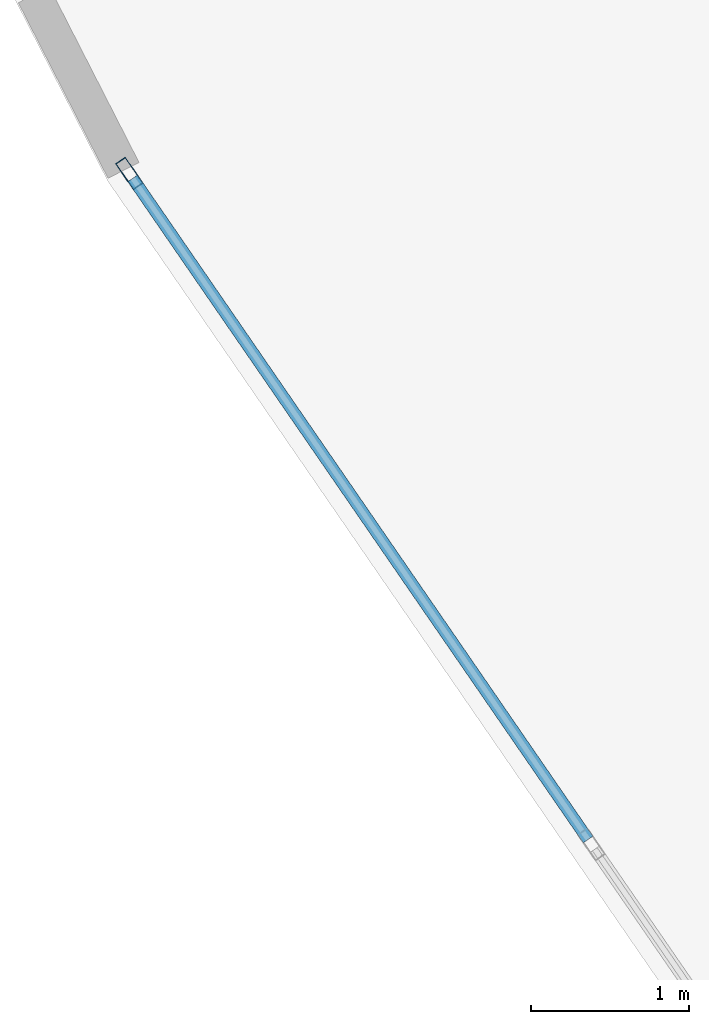
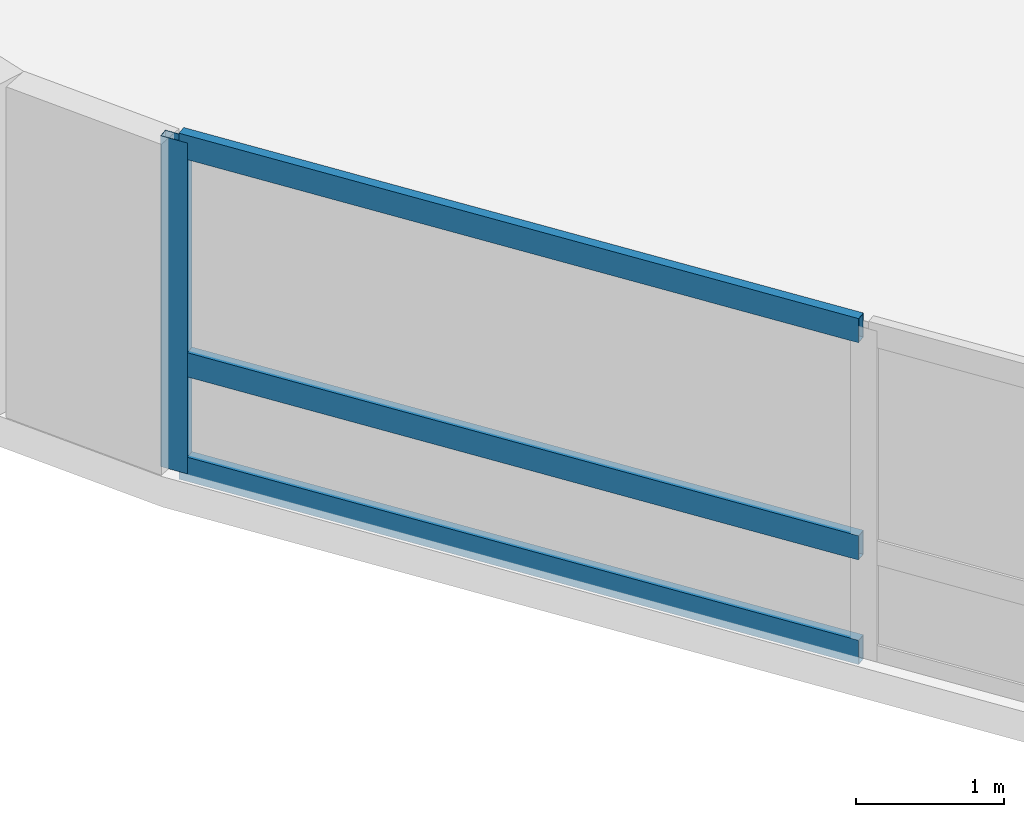
# One storey, part 6 of 22: 4 members, 1 element without a shape of its own.
"""IFC4 building model written with IfcOpenShell, lengths in metres."""

from ifc_helpers import new_model, si_unit, direction, frame, origin, origin_2d, place, context, subcontext, project, spatial, hollow_rectangle, extrude, material, layer, layer_set, material_profile, profile_set, type_object, element, aggregate, save


model = new_model("IFC4")

# Units and contexts
model_context = context("Model", 3, precision=1e-05, world=origin(), true_north=direction((0.0, 1.0)))
body_context = subcontext(model_context, "Body", "Model", "MODEL_VIEW")
ifc_project = project(units=[si_unit("LENGTHUNIT", "METRE"), si_unit("AREAUNIT", "SQUARE_METRE"), si_unit("VOLUMEUNIT", "CUBIC_METRE"), si_unit("PLANEANGLEUNIT", "RADIAN"), si_unit("MASSUNIT", "GRAM", prefix="KILO")], contexts=[model_context])

# Site, building, storey
site_placement = place(None, origin())
site = spatial("IfcSite", under=ifc_project, at=site_placement, CompositionType="ELEMENT")
building_placement = place(site_placement, origin())
building = spatial("IfcBuilding", under=site, at=building_placement, Name="Varnelok Gate Tower", CompositionType="ELEMENT")
storey_placement = place(building_placement, frame((0.0, 0.0, 284.10009765625)))
storey = spatial("IfcBuildingStorey", under=building, at=storey_placement, Name="L73", CompositionType="ELEMENT", Elevation=284.10009765625)

# Curtain wall, members
ifc_material = material(Name="Anodized Aluminum Alloy 6063-T6", Category="aluminium")
ifc_layer = layer(ifc_material, 0.179931640625)
ifc_layer_set = layer_set([ifc_layer], Name="Anodized Aluminum Alloy 6063-T6")
curtain_wall_type = type_object("IfcCurtainWallType", Name="CW6-CROWN-LOOKOUT", PredefinedType="USERDEFINED", material=ifc_layer_set)
curtain_wall_placement = place(storey_placement, origin())
curtain_wall = element("IfcCurtainWall", 1, at=curtain_wall_placement, inside=storey, type_object=curtain_wall_type, Name="L73 West End Vision Curtain Wall", ObjectType="STRUCTURAL GLAZING", PredefinedType="USERDEFINED")
ifc_material_profile_1 = material_profile(ifc_material, hollow_rectangle(XDim=0.074951171875, YDim=0.199951171875, WallThickness=0.00390625, at=origin_2d()), Name="ALU200X75X4")
ifc_profile_set_1 = profile_set([ifc_material_profile_1], Name="Anodized Aluminum Alloy 6063-T6")
member_type_1 = type_object("IfcMemberType", Name="CW-MULL-200", PredefinedType="MULLION", material=ifc_profile_set_1)
member_1_placement = place(storey_placement, frame((3.228271484375, 19.4189453125, 0.0), z_axis=(0.0, 0.0, 1.0), x_axis=(-0.823532290241, -0.567269395376, 0.0)))
member_1 = element("IfcMember", 2, at=member_1_placement, type_object=member_type_1, Name="CW6 mullion 7", PredefinedType="MULLION", context=body_context, shape_type="SweptSolid", body=[
    extrude(hollow_rectangle(XDim=0.074951171875, YDim=0.199951171875, WallThickness=0.00390625, at=origin_2d()), origin(), (0.0, 0.0, 1.0), 2.72998046875),
])
ifc_material_profile_2 = material_profile(ifc_material, hollow_rectangle(XDim=0.074951171875, YDim=0.199951171875, WallThickness=0.00390625, at=origin_2d()), Name="ALU200X75X4")
ifc_profile_set_2 = profile_set([ifc_material_profile_2], Name="Anodized Aluminum Alloy 6063-T6")
member_type_2 = type_object("IfcMemberType", Name="CW-TRAN-200", PredefinedType="USERDEFINED", material=ifc_profile_set_2)
member_2_placement = place(storey_placement, frame((6.135498046875, 15.198486328125, 0.037353515625), z_axis=(-0.567271968481, 0.823530517817, 0.0), x_axis=(-0.823530517817, -0.567271968481, 0.0)))
member_2 = element("IfcMember", 3, at=member_2_placement, type_object=member_type_2, Name="CW6 transom 6.1", ObjectType="TRANSOM", PredefinedType="USERDEFINED", context=body_context, shape_type="SweptSolid", body=[
    extrude(hollow_rectangle(XDim=0.074951171875, YDim=0.199951171875, WallThickness=0.00390625, at=origin_2d()), origin(), (0.0, 0.0, 1.0), 5.08740234375),
])
member_3_placement = place(storey_placement, frame((6.135498046875, 15.198486328125, 0.89990234375), z_axis=(-0.567271968481, 0.823530517817, 0.0), x_axis=(-0.823530517817, -0.567271968481, 0.0)))
member_3 = element("IfcMember", 4, at=member_3_placement, type_object=member_type_2, Name="CW6 transom 6.2", ObjectType="TRANSOM", PredefinedType="USERDEFINED", context=body_context, shape_type="SweptSolid", body=[
    extrude(hollow_rectangle(XDim=0.074951171875, YDim=0.199951171875, WallThickness=0.00390625, at=origin_2d()), origin(), (0.0, 0.0, 1.0), 5.08740234375),
])
member_4_placement = place(storey_placement, frame((6.135498046875, 15.198486328125, 2.6923828125), z_axis=(-0.567271968481, 0.823530517817, 0.0), x_axis=(-0.823530517817, -0.567271968481, 0.0)))
member_4 = element("IfcMember", 5, at=member_4_placement, type_object=member_type_2, Name="CW6 transom 6.3", ObjectType="TRANSOM", PredefinedType="USERDEFINED", context=body_context, shape_type="SweptSolid", body=[
    extrude(hollow_rectangle(XDim=0.074951171875, YDim=0.199951171875, WallThickness=0.00390625, at=origin_2d()), origin(), (0.0, 0.0, 1.0), 5.08740234375),
])
aggregate(curtain_wall, [member_1, member_2, member_3, member_4])

save(model, "model.ifc")
